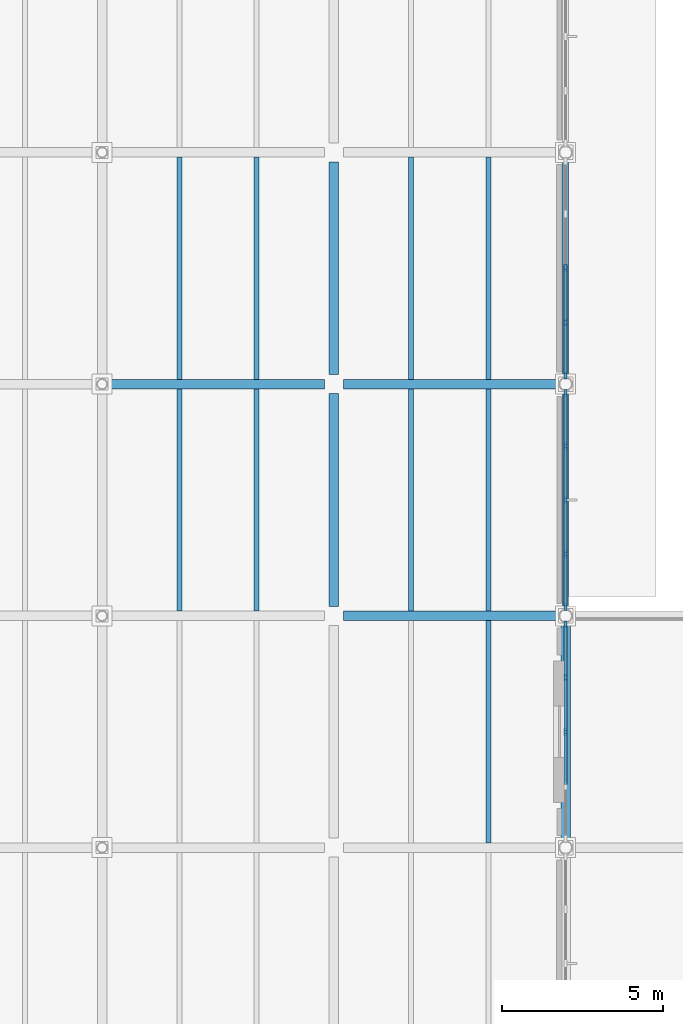
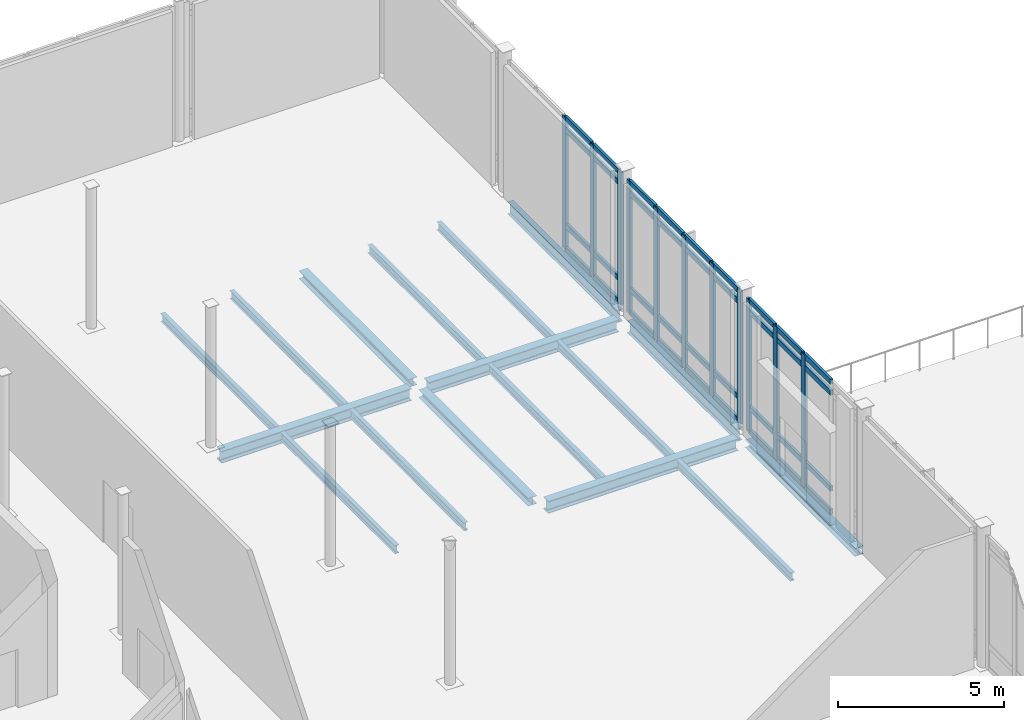
# One storey, part 28 of 89: 47 members, 17 beams, 3 elements without a shape of their own.
"""IFC4 building model written with IfcOpenShell, lengths in metres."""

from ifc_helpers import new_model, si_unit, direction, frame, origin, origin_2d, place, context, subcontext, project, spatial, rectangle, i_section, extrude, material, layer, layer_set, material_profile, profile_set, type_object, element, aggregate, save


model = new_model("IFC4")

# Units and contexts
model_context = context("Model", 3, precision=1e-05, world=origin(), true_north=direction((0.0, 1.0)))
body_context = subcontext(model_context, "Body", "Model", "MODEL_VIEW")
ifc_project = project(units=[si_unit("LENGTHUNIT", "METRE"), si_unit("AREAUNIT", "SQUARE_METRE"), si_unit("VOLUMEUNIT", "CUBIC_METRE"), si_unit("PLANEANGLEUNIT", "RADIAN"), si_unit("MASSUNIT", "GRAM", prefix="KILO")], contexts=[model_context])

# Site, building, storey
site_placement = place(None, origin())
site = spatial("IfcSite", under=ifc_project, at=site_placement, CompositionType="ELEMENT")
building_placement = place(site_placement, origin())
building = spatial("IfcBuilding", under=site, at=building_placement, Name="Zarrinpeak Specialist Clinic", CompositionType="ELEMENT")
storey_placement = place(building_placement, origin())
storey = spatial("IfcBuildingStorey", under=building, at=storey_placement, Name="L00", CompositionType="ELEMENT", Elevation=0.0)

# Beams
ifc_material_1 = material(Name="Steel S355", Category="steel")
ifc_material_profile_1 = material_profile(ifc_material_1, i_section(OverallWidth=0.300048828125, OverallDepth=0.2900390625, WebThickness=0.008544921875, FlangeThickness=0.013916015625, FilletRadius=0.027099609375, at=origin_2d()), Name="HEA 300")
ifc_profile_set_1 = profile_set([ifc_material_profile_1], Name="Steel S355")
beam_type_1 = type_object("IfcBeamType", Name="BM-HEA300", PredefinedType="BEAM", material=ifc_profile_set_1)
for number, where, z_axis, x_axis, name in (
    (1, (115.199951171875, 50.697998046875, -0.39501953125), (0.0, 1.0, 0.0), (-1.0, 0.0, 0.0), "L00 Primary Beam BM-L00-Y0390"),
    (2, (115.199951171875, 57.89794921875, -0.39501953125), (0.0, 1.0, 0.0), (-1.0, 0.0, 0.0), "L00 Primary Beam BM-L00-Y0391"),
    (3, (122.39990234375, 43.498046875, -0.39501953125), (0.0, 1.0, 0.0), (-1.0, 0.0, 0.0), "L00 Primary Beam BM-L00-Y0395"),
):
    element("IfcBeam", number, at=place(storey_placement, frame(where, z_axis=z_axis, x_axis=x_axis)), inside=storey, type_object=beam_type_1, Name=name, PredefinedType="BEAM", context=body_context, shape_type="SweptSolid", body=[
        extrude(i_section(OverallWidth=0.300048828125, OverallDepth=0.2900390625, WebThickness=0.008544921875, FlangeThickness=0.013916015625, FilletRadius=0.027099609375, at=origin_2d()), origin(), (0.0, 0.0, 1.0), 6.60400390625),
    ])
ifc_material_profile_2 = material_profile(ifc_material_1, i_section(OverallWidth=0.300048828125, OverallDepth=0.43994140625, WebThickness=0.011474609375, FlangeThickness=0.02099609375, FilletRadius=0.027099609375, at=origin_2d()), Name="HEA 450")
ifc_profile_set_2 = profile_set([ifc_material_profile_2], Name="Steel S355")
beam_type_2 = type_object("IfcBeamType", Name="BM-HEA450", PredefinedType="BEAM", material=ifc_profile_set_2)
for number, where, z_axis, x_axis, name in (
    (4, (115.498046875, 50.39990234375, -0.469970703125), (1.0, 0.0, 0.0), (0.0, 1.0, 0.0), "L00 Primary Floor Girder BM-L00-X0116"),
    (5, (108.298095703125, 57.60009765625, -0.469970703125), (1.0, 0.0, 0.0), (0.0, 1.0, 0.0), "L00 Primary Floor Girder BM-L00-X0142"),
    (6, (115.498046875, 57.60009765625, -0.469970703125), (1.0, 0.0, 0.0), (0.0, 1.0, 0.0), "L00 Primary Floor Girder BM-L00-X0143"),
):
    element("IfcBeam", number, at=place(storey_placement, frame(where, z_axis=z_axis, x_axis=x_axis)), inside=storey, type_object=beam_type_2, Name=name, PredefinedType="BEAM", context=body_context, shape_type="SweptSolid", body=[
        extrude(i_section(OverallWidth=0.300048828125, OverallDepth=0.43994140625, WebThickness=0.011474609375, FlangeThickness=0.02099609375, FilletRadius=0.027099609375, at=origin_2d()), origin(), (0.0, 0.0, 1.0), 6.60400390625),
    ])
ifc_material_profile_3 = material_profile(ifc_material_1, i_section(OverallWidth=0.14990234375, OverallDepth=0.300048828125, WebThickness=0.007080078125, FlangeThickness=0.0107421875, FilletRadius=0.014892578125, at=origin_2d()), Name="IPE 300")
ifc_profile_set_3 = profile_set([ifc_material_profile_3], Name="Steel S355")
beam_type_3 = type_object("IfcBeamType", Name="BM-JST300", PredefinedType="JOIST", material=ifc_profile_set_3)
for number, where, z_axis, x_axis, name in (
    (7, (110.39990234375, 50.548095703125, -0.39990234375), (0.0, 1.0, 0.0), (-1.0, 0.0, 0.0), "L00 Composite Floor Joist JST-L00-0523"),
    (8, (112.800048828125, 50.548095703125, -0.39990234375), (0.0, 1.0, 0.0), (-1.0, 0.0, 0.0), "L00 Composite Floor Joist JST-L00-0524"),
):
    element("IfcBeam", number, at=place(storey_placement, frame(where, z_axis=z_axis, x_axis=x_axis)), inside=storey, type_object=beam_type_3, Name=name, PredefinedType="JOIST", context=body_context, shape_type="SweptSolid", body=[
        extrude(i_section(OverallWidth=0.14990234375, OverallDepth=0.300048828125, WebThickness=0.007080078125, FlangeThickness=0.0107421875, FilletRadius=0.014892578125, at=origin_2d()), origin(), (0.0, 0.0, 1.0), 6.90380859375),
    ])
for number, where, z_axis, x_axis, name in (
    (9, (110.39990234375, 57.748046875, -0.39990234375), (0.0, 1.0, 0.0), (-1.0, 0.0, 0.0), "L00 Composite Floor Joist JST-L00-0525"),
    (10, (112.800048828125, 57.748046875, -0.39990234375), (0.0, 1.0, 0.0), (-1.0, 0.0, 0.0), "L00 Composite Floor Joist JST-L00-0526"),
    (11, (120.0, 43.347900390625, -0.39990234375), (0.0, 1.0, 0.0), (-1.0, 0.0, 0.0), "L00 Composite Floor Joist JST-L00-0534"),
):
    element("IfcBeam", number, at=place(storey_placement, frame(where, z_axis=z_axis, x_axis=x_axis)), inside=storey, type_object=beam_type_3, Name=name, PredefinedType="JOIST", context=body_context, shape_type="SweptSolid", body=[
        extrude(i_section(OverallWidth=0.14990234375, OverallDepth=0.300048828125, WebThickness=0.007080078125, FlangeThickness=0.0107421875, FilletRadius=0.014892578125, at=origin_2d()), origin(), (0.0, 0.0, 1.0), 6.904052734375),
    ])
for number, where, z_axis, x_axis, name in (
    (12, (117.60009765625, 50.548095703125, -0.39990234375), (0.0, 1.0, 0.0), (-1.0, 0.0, 0.0), "L00 Composite Floor Joist JST-L00-0535"),
    (13, (120.0, 50.548095703125, -0.39990234375), (0.0, 1.0, 0.0), (-1.0, 0.0, 0.0), "L00 Composite Floor Joist JST-L00-0536"),
):
    element("IfcBeam", number, at=place(storey_placement, frame(where, z_axis=z_axis, x_axis=x_axis)), inside=storey, type_object=beam_type_3, Name=name, PredefinedType="JOIST", context=body_context, shape_type="SweptSolid", body=[
        extrude(i_section(OverallWidth=0.14990234375, OverallDepth=0.300048828125, WebThickness=0.007080078125, FlangeThickness=0.0107421875, FilletRadius=0.014892578125, at=origin_2d()), origin(), (0.0, 0.0, 1.0), 6.90380859375),
    ])
for number, where, z_axis, x_axis, name in (
    (14, (117.60009765625, 57.748046875, -0.39990234375), (0.0, 1.0, 0.0), (-1.0, 0.0, 0.0), "L00 Composite Floor Joist JST-L00-0537"),
    (15, (120.0, 57.748046875, -0.39990234375), (0.0, 1.0, 0.0), (-1.0, 0.0, 0.0), "L00 Composite Floor Joist JST-L00-0538"),
):
    element("IfcBeam", number, at=place(storey_placement, frame(where, z_axis=z_axis, x_axis=x_axis)), inside=storey, type_object=beam_type_3, Name=name, PredefinedType="JOIST", context=body_context, shape_type="SweptSolid", body=[
        extrude(i_section(OverallWidth=0.14990234375, OverallDepth=0.300048828125, WebThickness=0.007080078125, FlangeThickness=0.0107421875, FilletRadius=0.014892578125, at=origin_2d()), origin(), (0.0, 0.0, 1.0), 6.904052734375),
    ])
ifc_material_profile_4 = material_profile(ifc_material_1, i_section(OverallWidth=0.18994140625, OverallDepth=0.449951171875, WebThickness=0.009521484375, FlangeThickness=0.0146484375, FilletRadius=0.02099609375, at=origin_2d()), Name="IPE 450")
ifc_profile_set_4 = profile_set([ifc_material_profile_4], Name="Steel S355")
beam_type_4 = type_object("IfcBeamType", Name="BM-SP450", PredefinedType="SPANDREL", material=ifc_profile_set_4)
for number, where, z_axis, x_axis, name in (
    (16, (122.39990234375, 50.697998046875, -0.47509765625), (0.0, 1.0, 0.0), (-1.0, 0.0, 0.0), "L00 Perimeter Spandrel Beam BM-L00-Y0396"),
    (17, (122.39990234375, 57.89794921875, -0.47509765625), (0.0, 1.0, 0.0), (-1.0, 0.0, 0.0), "L00 Perimeter Spandrel Beam BM-L00-Y0397"),
):
    element("IfcBeam", number, at=place(storey_placement, frame(where, z_axis=z_axis, x_axis=x_axis)), inside=storey, type_object=beam_type_4, Name=name, PredefinedType="SPANDREL", context=body_context, shape_type="SweptSolid", body=[
        extrude(i_section(OverallWidth=0.18994140625, OverallDepth=0.449951171875, WebThickness=0.009521484375, FlangeThickness=0.0146484375, FilletRadius=0.02099609375, at=origin_2d()), origin(), (0.0, 0.0, 1.0), 6.60400390625),
    ])

# Curtain wall, members
ifc_material_2 = material(Name="Anodised Aluminium Alloy 6063-T6", Category="aluminium")
ifc_layer = layer(ifc_material_2, 0.199951171875)
ifc_layer_set = layer_set([ifc_layer], Name="Anodised Aluminium Alloy 6063-T6")
curtain_wall_type = type_object("IfcCurtainWallType", Name="CW-HALL", PredefinedType="NOTDEFINED", material=ifc_layer_set)
curtain_wall_1_placement = place(storey_placement, origin())
curtain_wall_1 = element("IfcCurtainWall", 18, at=curtain_wall_1_placement, inside=storey, type_object=curtain_wall_type, Name="L00 V3 Unitised Curtain Wall CW-L00-V3-093", PredefinedType="NOTDEFINED")
ifc_material_profile_5 = material_profile(ifc_material_2, rectangle(XDim=0.090087890625, YDim=0.219970703125, at=origin_2d()), Name="ALU 90x220")
ifc_profile_set_5 = profile_set([ifc_material_profile_5], Name="Anodised Aluminium Alloy 6063-T6")
member_type_1 = type_object("IfcMemberType", Name="CWM-90", PredefinedType="MULLION", material=ifc_profile_set_5)
member_1_placement = place(storey_placement, frame((122.39990234375, 46.800048828125, 0.0), z_axis=(0.0, 0.0, 1.0), x_axis=(-1.0, 0.0, 0.0)))
member_1 = element("IfcMember", 19, at=member_1_placement, type_object=member_type_1, Name="CW-02 mullion 3", PredefinedType="MULLION", context=body_context, shape_type="SweptSolid", body=[
    extrude(rectangle(XDim=0.090087890625, YDim=0.219970703125, at=origin_2d()), origin(), (0.0, 0.0, 1.0), 4.875),
])
member_2_placement = place(storey_placement, frame((122.39990234375, 48.48583984375, 0.0), z_axis=(0.0, 0.0, 1.0), x_axis=(-1.0, 0.0, 0.0)))
member_2 = element("IfcMember", 20, at=member_2_placement, type_object=member_type_1, Name="CW-02 mullion 4", PredefinedType="MULLION", context=body_context, shape_type="SweptSolid", body=[
    extrude(rectangle(XDim=0.090087890625, YDim=0.219970703125, at=origin_2d()), origin(), (0.0, 0.0, 1.0), 4.875),
])
member_3_placement = place(storey_placement, frame((122.39990234375, 50.126708984375, 0.0), z_axis=(0.0, 0.0, 1.0), x_axis=(-1.0, 0.0, 0.0)))
member_3 = element("IfcMember", 21, at=member_3_placement, type_object=member_type_1, Name="CW-02 mullion 5", PredefinedType="MULLION", context=body_context, shape_type="SweptSolid", body=[
    extrude(rectangle(XDim=0.090087890625, YDim=0.219970703125, at=origin_2d()), origin(), (0.0, 0.0, 1.0), 4.875),
])

curtain_wall_2_placement = place(storey_placement, origin())
curtain_wall_2 = element("IfcCurtainWall", 22, at=curtain_wall_2_placement, inside=storey, type_object=curtain_wall_type, Name="L00 V3 Unitised Curtain Wall CW-L00-V3-094", PredefinedType="NOTDEFINED")
member_4_placement = place(storey_placement, frame((122.39990234375, 50.673095703125, 0.0), z_axis=(0.0, 0.0, 1.0), x_axis=(-1.0, 0.0, 0.0)))
member_4 = element("IfcMember", 23, at=member_4_placement, type_object=member_type_1, Name="CW-02 mullion 1", PredefinedType="MULLION", context=body_context, shape_type="SweptSolid", body=[
    extrude(rectangle(XDim=0.090087890625, YDim=0.219970703125, at=origin_2d()), origin(), (0.0, 0.0, 1.0), 4.875),
])
member_5_placement = place(storey_placement, frame((122.39990234375, 52.314208984375, 0.0), z_axis=(0.0, 0.0, 1.0), x_axis=(-1.0, 0.0, 0.0)))
member_5 = element("IfcMember", 24, at=member_5_placement, type_object=member_type_1, Name="CW-02 mullion 2", PredefinedType="MULLION", context=body_context, shape_type="SweptSolid", body=[
    extrude(rectangle(XDim=0.090087890625, YDim=0.219970703125, at=origin_2d()), origin(), (0.0, 0.0, 1.0), 4.875),
])
member_6_placement = place(storey_placement, frame((122.39990234375, 54.0, 0.0), z_axis=(0.0, 0.0, 1.0), x_axis=(-1.0, 0.0, 0.0)))
member_6 = element("IfcMember", 25, at=member_6_placement, type_object=member_type_1, Name="CW-02 mullion 3", PredefinedType="MULLION", context=body_context, shape_type="SweptSolid", body=[
    extrude(rectangle(XDim=0.090087890625, YDim=0.219970703125, at=origin_2d()), origin(), (0.0, 0.0, 1.0), 4.875),
])
member_7_placement = place(storey_placement, frame((122.39990234375, 55.685791015625, 0.0), z_axis=(0.0, 0.0, 1.0), x_axis=(-1.0, 0.0, 0.0)))
member_7 = element("IfcMember", 26, at=member_7_placement, type_object=member_type_1, Name="CW-02 mullion 4", PredefinedType="MULLION", context=body_context, shape_type="SweptSolid", body=[
    extrude(rectangle(XDim=0.090087890625, YDim=0.219970703125, at=origin_2d()), origin(), (0.0, 0.0, 1.0), 4.875),
])
member_8_placement = place(storey_placement, frame((122.39990234375, 57.326904296875, 0.0), z_axis=(0.0, 0.0, 1.0), x_axis=(-1.0, 0.0, 0.0)))
member_8 = element("IfcMember", 27, at=member_8_placement, type_object=member_type_1, Name="CW-02 mullion 5", PredefinedType="MULLION", context=body_context, shape_type="SweptSolid", body=[
    extrude(rectangle(XDim=0.090087890625, YDim=0.219970703125, at=origin_2d()), origin(), (0.0, 0.0, 1.0), 4.875),
])

curtain_wall_3_placement = place(storey_placement, origin())
curtain_wall_3 = element("IfcCurtainWall", 28, at=curtain_wall_3_placement, inside=storey, type_object=curtain_wall_type, Name="L00 V3 Unitised Curtain Wall CW-L00-V3-095", PredefinedType="NOTDEFINED")
member_9_placement = place(storey_placement, frame((122.39990234375, 57.873291015625, 0.0), z_axis=(0.0, 0.0, 1.0), x_axis=(-1.0, 0.0, 0.0)))
member_9 = element("IfcMember", 29, at=member_9_placement, type_object=member_type_1, Name="CW-02 mullion 1", PredefinedType="MULLION", context=body_context, shape_type="SweptSolid", body=[
    extrude(rectangle(XDim=0.090087890625, YDim=0.219970703125, at=origin_2d()), origin(), (0.0, 0.0, 1.0), 4.875),
])
member_10_placement = place(storey_placement, frame((122.39990234375, 59.51416015625, 0.0), z_axis=(0.0, 0.0, 1.0), x_axis=(-1.0, 0.0, 0.0)))
member_10 = element("IfcMember", 30, at=member_10_placement, type_object=member_type_1, Name="CW-02 mullion 2", PredefinedType="MULLION", context=body_context, shape_type="SweptSolid", body=[
    extrude(rectangle(XDim=0.090087890625, YDim=0.219970703125, at=origin_2d()), origin(), (0.0, 0.0, 1.0), 4.875),
])
member_11_placement = place(storey_placement, frame((122.39990234375, 61.199951171875, 0.0), z_axis=(0.0, 0.0, 1.0), x_axis=(-1.0, 0.0, 0.0)))
member_11 = element("IfcMember", 31, at=member_11_placement, type_object=member_type_1, Name="CW-02 mullion 3", PredefinedType="MULLION", context=body_context, shape_type="SweptSolid", body=[
    extrude(rectangle(XDim=0.090087890625, YDim=0.219970703125, at=origin_2d()), origin(), (0.0, 0.0, 1.0), 4.875),
])

# Member
ifc_material_profile_6 = material_profile(ifc_material_2, rectangle(XDim=0.090087890625, YDim=0.18994140625, at=origin_2d()), Name="ALU 90x190")
ifc_profile_set_6 = profile_set([ifc_material_profile_6], Name="Anodised Aluminium Alloy 6063-T6")
member_type_2 = type_object("IfcMemberType", Name="CWT-90", PredefinedType="USERDEFINED", material=ifc_profile_set_6)
member_12_placement = place(storey_placement, frame((122.39990234375, 45.1591796875, 0.044921875), z_axis=(0.0, 1.0, 0.0), x_axis=(-1.0, 0.0, 0.0)))
member_12 = element("IfcMember", 32, at=member_12_placement, type_object=member_type_2, Name="CW-02 transom 2.1", ObjectType="TRANSOM", PredefinedType="USERDEFINED", context=body_context, shape_type="SweptSolid", body=[
    extrude(rectangle(XDim=0.090087890625, YDim=0.18994140625, at=origin_2d()), origin(), (0.0, 0.0, 1.0), 1.595703125),
])

member_13_placement = place(storey_placement, frame((122.39990234375, 45.1591796875, 0.89990234375), z_axis=(0.0, 1.0, 0.0), x_axis=(-1.0, 0.0, 0.0)))
member_13 = element("IfcMember", 33, at=member_13_placement, type_object=member_type_2, Name="CW-02 transom 2.2", ObjectType="TRANSOM", PredefinedType="USERDEFINED", context=body_context, shape_type="SweptSolid", body=[
    extrude(rectangle(XDim=0.090087890625, YDim=0.18994140625, at=origin_2d()), origin(), (0.0, 0.0, 1.0), 1.595703125),
])

member_14_placement = place(storey_placement, frame((122.39990234375, 45.1591796875, 4.425048828125), z_axis=(0.0, 1.0, 0.0), x_axis=(-1.0, 0.0, 0.0)))
member_14 = element("IfcMember", 34, at=member_14_placement, type_object=member_type_2, Name="CW-02 transom 2.3", ObjectType="TRANSOM", PredefinedType="USERDEFINED", context=body_context, shape_type="SweptSolid", body=[
    extrude(rectangle(XDim=0.090087890625, YDim=0.18994140625, at=origin_2d()), origin(), (0.0, 0.0, 1.0), 1.595703125),
])

member_15_placement = place(storey_placement, frame((122.39990234375, 45.1591796875, 4.830078125), z_axis=(0.0, 1.0, 0.0), x_axis=(-1.0, 0.0, 0.0)))
member_15 = element("IfcMember", 35, at=member_15_placement, type_object=member_type_2, Name="CW-02 transom 2.4", ObjectType="TRANSOM", PredefinedType="USERDEFINED", context=body_context, shape_type="SweptSolid", body=[
    extrude(rectangle(XDim=0.090087890625, YDim=0.18994140625, at=origin_2d()), origin(), (0.0, 0.0, 1.0), 1.595703125),
])

member_16_placement = place(storey_placement, frame((122.39990234375, 46.844970703125, 0.044921875), z_axis=(0.0, 1.0, 0.0), x_axis=(-1.0, 0.0, 0.0)))
member_16 = element("IfcMember", 36, at=member_16_placement, type_object=member_type_2, Name="CW-02 transom 3.1", ObjectType="TRANSOM", PredefinedType="USERDEFINED", context=body_context, shape_type="SweptSolid", body=[
    extrude(rectangle(XDim=0.090087890625, YDim=0.18994140625, at=origin_2d()), origin(), (0.0, 0.0, 1.0), 1.595947265625),
])

member_17_placement = place(storey_placement, frame((122.39990234375, 46.844970703125, 0.89990234375), z_axis=(0.0, 1.0, 0.0), x_axis=(-1.0, 0.0, 0.0)))
member_17 = element("IfcMember", 37, at=member_17_placement, type_object=member_type_2, Name="CW-02 transom 3.2", ObjectType="TRANSOM", PredefinedType="USERDEFINED", context=body_context, shape_type="SweptSolid", body=[
    extrude(rectangle(XDim=0.090087890625, YDim=0.18994140625, at=origin_2d()), origin(), (0.0, 0.0, 1.0), 1.595947265625),
])

member_18_placement = place(storey_placement, frame((122.39990234375, 46.844970703125, 4.425048828125), z_axis=(0.0, 1.0, 0.0), x_axis=(-1.0, 0.0, 0.0)))
member_18 = element("IfcMember", 38, at=member_18_placement, type_object=member_type_2, Name="CW-02 transom 3.3", ObjectType="TRANSOM", PredefinedType="USERDEFINED", context=body_context, shape_type="SweptSolid", body=[
    extrude(rectangle(XDim=0.090087890625, YDim=0.18994140625, at=origin_2d()), origin(), (0.0, 0.0, 1.0), 1.595947265625),
])

member_19_placement = place(storey_placement, frame((122.39990234375, 46.844970703125, 4.830078125), z_axis=(0.0, 1.0, 0.0), x_axis=(-1.0, 0.0, 0.0)))
member_19 = element("IfcMember", 39, at=member_19_placement, type_object=member_type_2, Name="CW-02 transom 3.4", ObjectType="TRANSOM", PredefinedType="USERDEFINED", context=body_context, shape_type="SweptSolid", body=[
    extrude(rectangle(XDim=0.090087890625, YDim=0.18994140625, at=origin_2d()), origin(), (0.0, 0.0, 1.0), 1.595947265625),
])

member_20_placement = place(storey_placement, frame((122.39990234375, 48.531005859375, 0.044921875), z_axis=(0.0, 1.0, 0.0), x_axis=(-1.0, 0.0, 0.0)))
member_20 = element("IfcMember", 40, at=member_20_placement, type_object=member_type_2, Name="CW-02 transom 4.1", ObjectType="TRANSOM", PredefinedType="USERDEFINED", context=body_context, shape_type="SweptSolid", body=[
    extrude(rectangle(XDim=0.090087890625, YDim=0.18994140625, at=origin_2d()), origin(), (0.0, 0.0, 1.0), 1.55078125),
])

member_21_placement = place(storey_placement, frame((122.39990234375, 48.531005859375, 0.89990234375), z_axis=(0.0, 1.0, 0.0), x_axis=(-1.0, 0.0, 0.0)))
member_21 = element("IfcMember", 41, at=member_21_placement, type_object=member_type_2, Name="CW-02 transom 4.2", ObjectType="TRANSOM", PredefinedType="USERDEFINED", context=body_context, shape_type="SweptSolid", body=[
    extrude(rectangle(XDim=0.090087890625, YDim=0.18994140625, at=origin_2d()), origin(), (0.0, 0.0, 1.0), 1.55078125),
])

member_22_placement = place(storey_placement, frame((122.39990234375, 48.531005859375, 4.425048828125), z_axis=(0.0, 1.0, 0.0), x_axis=(-1.0, 0.0, 0.0)))
member_22 = element("IfcMember", 42, at=member_22_placement, type_object=member_type_2, Name="CW-02 transom 4.3", ObjectType="TRANSOM", PredefinedType="USERDEFINED", context=body_context, shape_type="SweptSolid", body=[
    extrude(rectangle(XDim=0.090087890625, YDim=0.18994140625, at=origin_2d()), origin(), (0.0, 0.0, 1.0), 1.55078125),
])

member_23_placement = place(storey_placement, frame((122.39990234375, 48.531005859375, 4.830078125), z_axis=(0.0, 1.0, 0.0), x_axis=(-1.0, 0.0, 0.0)))
member_23 = element("IfcMember", 43, at=member_23_placement, type_object=member_type_2, Name="CW-02 transom 4.4", ObjectType="TRANSOM", PredefinedType="USERDEFINED", context=body_context, shape_type="SweptSolid", body=[
    extrude(rectangle(XDim=0.090087890625, YDim=0.18994140625, at=origin_2d()), origin(), (0.0, 0.0, 1.0), 1.55078125),
])

aggregate(curtain_wall_1, [member_1, member_2, member_3, member_12, member_13, member_14, member_15, member_16, member_17, member_18, member_19, member_20, member_21, member_22, member_23])

member_24_placement = place(storey_placement, frame((122.39990234375, 50.71826171875, 0.044921875), z_axis=(0.0, 1.0, 0.0), x_axis=(-1.0, 0.0, 0.0)))
member_24 = element("IfcMember", 44, at=member_24_placement, type_object=member_type_2, Name="CW-02 transom 1.1", ObjectType="TRANSOM", PredefinedType="USERDEFINED", context=body_context, shape_type="SweptSolid", body=[
    extrude(rectangle(XDim=0.090087890625, YDim=0.18994140625, at=origin_2d()), origin(), (0.0, 0.0, 1.0), 1.55078125),
])

member_25_placement = place(storey_placement, frame((122.39990234375, 50.71826171875, 0.89990234375), z_axis=(0.0, 1.0, 0.0), x_axis=(-1.0, 0.0, 0.0)))
member_25 = element("IfcMember", 45, at=member_25_placement, type_object=member_type_2, Name="CW-02 transom 1.2", ObjectType="TRANSOM", PredefinedType="USERDEFINED", context=body_context, shape_type="SweptSolid", body=[
    extrude(rectangle(XDim=0.090087890625, YDim=0.18994140625, at=origin_2d()), origin(), (0.0, 0.0, 1.0), 1.55078125),
])

member_26_placement = place(storey_placement, frame((122.39990234375, 50.71826171875, 4.425048828125), z_axis=(0.0, 1.0, 0.0), x_axis=(-1.0, 0.0, 0.0)))
member_26 = element("IfcMember", 46, at=member_26_placement, type_object=member_type_2, Name="CW-02 transom 1.3", ObjectType="TRANSOM", PredefinedType="USERDEFINED", context=body_context, shape_type="SweptSolid", body=[
    extrude(rectangle(XDim=0.090087890625, YDim=0.18994140625, at=origin_2d()), origin(), (0.0, 0.0, 1.0), 1.55078125),
])

member_27_placement = place(storey_placement, frame((122.39990234375, 50.71826171875, 4.830078125), z_axis=(0.0, 1.0, 0.0), x_axis=(-1.0, 0.0, 0.0)))
member_27 = element("IfcMember", 47, at=member_27_placement, type_object=member_type_2, Name="CW-02 transom 1.4", ObjectType="TRANSOM", PredefinedType="USERDEFINED", context=body_context, shape_type="SweptSolid", body=[
    extrude(rectangle(XDim=0.090087890625, YDim=0.18994140625, at=origin_2d()), origin(), (0.0, 0.0, 1.0), 1.55078125),
])

member_28_placement = place(storey_placement, frame((122.39990234375, 52.359130859375, 0.044921875), z_axis=(0.0, 1.0, 0.0), x_axis=(-1.0, 0.0, 0.0)))
member_28 = element("IfcMember", 48, at=member_28_placement, type_object=member_type_2, Name="CW-02 transom 2.1", ObjectType="TRANSOM", PredefinedType="USERDEFINED", context=body_context, shape_type="SweptSolid", body=[
    extrude(rectangle(XDim=0.090087890625, YDim=0.18994140625, at=origin_2d()), origin(), (0.0, 0.0, 1.0), 1.595947265625),
])

member_29_placement = place(storey_placement, frame((122.39990234375, 52.359130859375, 0.89990234375), z_axis=(0.0, 1.0, 0.0), x_axis=(-1.0, 0.0, 0.0)))
member_29 = element("IfcMember", 49, at=member_29_placement, type_object=member_type_2, Name="CW-02 transom 2.2", ObjectType="TRANSOM", PredefinedType="USERDEFINED", context=body_context, shape_type="SweptSolid", body=[
    extrude(rectangle(XDim=0.090087890625, YDim=0.18994140625, at=origin_2d()), origin(), (0.0, 0.0, 1.0), 1.595947265625),
])

member_30_placement = place(storey_placement, frame((122.39990234375, 52.359130859375, 4.425048828125), z_axis=(0.0, 1.0, 0.0), x_axis=(-1.0, 0.0, 0.0)))
member_30 = element("IfcMember", 50, at=member_30_placement, type_object=member_type_2, Name="CW-02 transom 2.3", ObjectType="TRANSOM", PredefinedType="USERDEFINED", context=body_context, shape_type="SweptSolid", body=[
    extrude(rectangle(XDim=0.090087890625, YDim=0.18994140625, at=origin_2d()), origin(), (0.0, 0.0, 1.0), 1.595947265625),
])

member_31_placement = place(storey_placement, frame((122.39990234375, 52.359130859375, 4.830078125), z_axis=(0.0, 1.0, 0.0), x_axis=(-1.0, 0.0, 0.0)))
member_31 = element("IfcMember", 51, at=member_31_placement, type_object=member_type_2, Name="CW-02 transom 2.4", ObjectType="TRANSOM", PredefinedType="USERDEFINED", context=body_context, shape_type="SweptSolid", body=[
    extrude(rectangle(XDim=0.090087890625, YDim=0.18994140625, at=origin_2d()), origin(), (0.0, 0.0, 1.0), 1.595947265625),
])

member_32_placement = place(storey_placement, frame((122.39990234375, 54.044921875, 0.044921875), z_axis=(0.0, 1.0, 0.0), x_axis=(-1.0, 0.0, 0.0)))
member_32 = element("IfcMember", 52, at=member_32_placement, type_object=member_type_2, Name="CW-02 transom 3.1", ObjectType="TRANSOM", PredefinedType="USERDEFINED", context=body_context, shape_type="SweptSolid", body=[
    extrude(rectangle(XDim=0.090087890625, YDim=0.18994140625, at=origin_2d()), origin(), (0.0, 0.0, 1.0), 1.595947265625),
])

member_33_placement = place(storey_placement, frame((122.39990234375, 54.044921875, 0.89990234375), z_axis=(0.0, 1.0, 0.0), x_axis=(-1.0, 0.0, 0.0)))
member_33 = element("IfcMember", 53, at=member_33_placement, type_object=member_type_2, Name="CW-02 transom 3.2", ObjectType="TRANSOM", PredefinedType="USERDEFINED", context=body_context, shape_type="SweptSolid", body=[
    extrude(rectangle(XDim=0.090087890625, YDim=0.18994140625, at=origin_2d()), origin(), (0.0, 0.0, 1.0), 1.595947265625),
])

member_34_placement = place(storey_placement, frame((122.39990234375, 54.044921875, 4.425048828125), z_axis=(0.0, 1.0, 0.0), x_axis=(-1.0, 0.0, 0.0)))
member_34 = element("IfcMember", 54, at=member_34_placement, type_object=member_type_2, Name="CW-02 transom 3.3", ObjectType="TRANSOM", PredefinedType="USERDEFINED", context=body_context, shape_type="SweptSolid", body=[
    extrude(rectangle(XDim=0.090087890625, YDim=0.18994140625, at=origin_2d()), origin(), (0.0, 0.0, 1.0), 1.595947265625),
])

member_35_placement = place(storey_placement, frame((122.39990234375, 54.044921875, 4.830078125), z_axis=(0.0, 1.0, 0.0), x_axis=(-1.0, 0.0, 0.0)))
member_35 = element("IfcMember", 55, at=member_35_placement, type_object=member_type_2, Name="CW-02 transom 3.4", ObjectType="TRANSOM", PredefinedType="USERDEFINED", context=body_context, shape_type="SweptSolid", body=[
    extrude(rectangle(XDim=0.090087890625, YDim=0.18994140625, at=origin_2d()), origin(), (0.0, 0.0, 1.0), 1.595947265625),
])

member_36_placement = place(storey_placement, frame((122.39990234375, 55.73095703125, 0.044921875), z_axis=(0.0, 1.0, 0.0), x_axis=(-1.0, 0.0, 0.0)))
member_36 = element("IfcMember", 56, at=member_36_placement, type_object=member_type_2, Name="CW-02 transom 4.1", ObjectType="TRANSOM", PredefinedType="USERDEFINED", context=body_context, shape_type="SweptSolid", body=[
    extrude(rectangle(XDim=0.090087890625, YDim=0.18994140625, at=origin_2d()), origin(), (0.0, 0.0, 1.0), 1.55078125),
])

member_37_placement = place(storey_placement, frame((122.39990234375, 55.73095703125, 0.89990234375), z_axis=(0.0, 1.0, 0.0), x_axis=(-1.0, 0.0, 0.0)))
member_37 = element("IfcMember", 57, at=member_37_placement, type_object=member_type_2, Name="CW-02 transom 4.2", ObjectType="TRANSOM", PredefinedType="USERDEFINED", context=body_context, shape_type="SweptSolid", body=[
    extrude(rectangle(XDim=0.090087890625, YDim=0.18994140625, at=origin_2d()), origin(), (0.0, 0.0, 1.0), 1.55078125),
])

member_38_placement = place(storey_placement, frame((122.39990234375, 55.73095703125, 4.425048828125), z_axis=(0.0, 1.0, 0.0), x_axis=(-1.0, 0.0, 0.0)))
member_38 = element("IfcMember", 58, at=member_38_placement, type_object=member_type_2, Name="CW-02 transom 4.3", ObjectType="TRANSOM", PredefinedType="USERDEFINED", context=body_context, shape_type="SweptSolid", body=[
    extrude(rectangle(XDim=0.090087890625, YDim=0.18994140625, at=origin_2d()), origin(), (0.0, 0.0, 1.0), 1.55078125),
])

member_39_placement = place(storey_placement, frame((122.39990234375, 55.73095703125, 4.830078125), z_axis=(0.0, 1.0, 0.0), x_axis=(-1.0, 0.0, 0.0)))
member_39 = element("IfcMember", 59, at=member_39_placement, type_object=member_type_2, Name="CW-02 transom 4.4", ObjectType="TRANSOM", PredefinedType="USERDEFINED", context=body_context, shape_type="SweptSolid", body=[
    extrude(rectangle(XDim=0.090087890625, YDim=0.18994140625, at=origin_2d()), origin(), (0.0, 0.0, 1.0), 1.55078125),
])

aggregate(curtain_wall_2, [member_4, member_5, member_6, member_7, member_8, member_24, member_25, member_26, member_27, member_28, member_29, member_30, member_31, member_32, member_33, member_34, member_35, member_36, member_37, member_38, member_39])

member_40_placement = place(storey_placement, frame((122.39990234375, 57.918212890625, 0.044921875), z_axis=(0.0, 1.0, 0.0), x_axis=(-1.0, 0.0, 0.0)))
member_40 = element("IfcMember", 60, at=member_40_placement, type_object=member_type_2, Name="CW-02 transom 1.1", ObjectType="TRANSOM", PredefinedType="USERDEFINED", context=body_context, shape_type="SweptSolid", body=[
    extrude(rectangle(XDim=0.090087890625, YDim=0.18994140625, at=origin_2d()), origin(), (0.0, 0.0, 1.0), 1.55078125),
])

member_41_placement = place(storey_placement, frame((122.39990234375, 57.918212890625, 0.89990234375), z_axis=(0.0, 1.0, 0.0), x_axis=(-1.0, 0.0, 0.0)))
member_41 = element("IfcMember", 61, at=member_41_placement, type_object=member_type_2, Name="CW-02 transom 1.2", ObjectType="TRANSOM", PredefinedType="USERDEFINED", context=body_context, shape_type="SweptSolid", body=[
    extrude(rectangle(XDim=0.090087890625, YDim=0.18994140625, at=origin_2d()), origin(), (0.0, 0.0, 1.0), 1.55078125),
])

member_42_placement = place(storey_placement, frame((122.39990234375, 57.918212890625, 4.425048828125), z_axis=(0.0, 1.0, 0.0), x_axis=(-1.0, 0.0, 0.0)))
member_42 = element("IfcMember", 62, at=member_42_placement, type_object=member_type_2, Name="CW-02 transom 1.3", ObjectType="TRANSOM", PredefinedType="USERDEFINED", context=body_context, shape_type="SweptSolid", body=[
    extrude(rectangle(XDim=0.090087890625, YDim=0.18994140625, at=origin_2d()), origin(), (0.0, 0.0, 1.0), 1.55078125),
])

member_43_placement = place(storey_placement, frame((122.39990234375, 57.918212890625, 4.830078125), z_axis=(0.0, 1.0, 0.0), x_axis=(-1.0, 0.0, 0.0)))
member_43 = element("IfcMember", 63, at=member_43_placement, type_object=member_type_2, Name="CW-02 transom 1.4", ObjectType="TRANSOM", PredefinedType="USERDEFINED", context=body_context, shape_type="SweptSolid", body=[
    extrude(rectangle(XDim=0.090087890625, YDim=0.18994140625, at=origin_2d()), origin(), (0.0, 0.0, 1.0), 1.55078125),
])

member_44_placement = place(storey_placement, frame((122.39990234375, 59.55908203125, 0.044921875), z_axis=(0.0, 1.0, 0.0), x_axis=(-1.0, 0.0, 0.0)))
member_44 = element("IfcMember", 64, at=member_44_placement, type_object=member_type_2, Name="CW-02 transom 2.1", ObjectType="TRANSOM", PredefinedType="USERDEFINED", context=body_context, shape_type="SweptSolid", body=[
    extrude(rectangle(XDim=0.090087890625, YDim=0.18994140625, at=origin_2d()), origin(), (0.0, 0.0, 1.0), 1.595947265625),
])

member_45_placement = place(storey_placement, frame((122.39990234375, 59.55908203125, 0.89990234375), z_axis=(0.0, 1.0, 0.0), x_axis=(-1.0, 0.0, 0.0)))
member_45 = element("IfcMember", 65, at=member_45_placement, type_object=member_type_2, Name="CW-02 transom 2.2", ObjectType="TRANSOM", PredefinedType="USERDEFINED", context=body_context, shape_type="SweptSolid", body=[
    extrude(rectangle(XDim=0.090087890625, YDim=0.18994140625, at=origin_2d()), origin(), (0.0, 0.0, 1.0), 1.595947265625),
])

member_46_placement = place(storey_placement, frame((122.39990234375, 59.55908203125, 4.425048828125), z_axis=(0.0, 1.0, 0.0), x_axis=(-1.0, 0.0, 0.0)))
member_46 = element("IfcMember", 66, at=member_46_placement, type_object=member_type_2, Name="CW-02 transom 2.3", ObjectType="TRANSOM", PredefinedType="USERDEFINED", context=body_context, shape_type="SweptSolid", body=[
    extrude(rectangle(XDim=0.090087890625, YDim=0.18994140625, at=origin_2d()), origin(), (0.0, 0.0, 1.0), 1.595947265625),
])

member_47_placement = place(storey_placement, frame((122.39990234375, 59.55908203125, 4.830078125), z_axis=(0.0, 1.0, 0.0), x_axis=(-1.0, 0.0, 0.0)))
member_47 = element("IfcMember", 67, at=member_47_placement, type_object=member_type_2, Name="CW-02 transom 2.4", ObjectType="TRANSOM", PredefinedType="USERDEFINED", context=body_context, shape_type="SweptSolid", body=[
    extrude(rectangle(XDim=0.090087890625, YDim=0.18994140625, at=origin_2d()), origin(), (0.0, 0.0, 1.0), 1.595947265625),
])

aggregate(curtain_wall_3, [member_9, member_10, member_11, member_40, member_41, member_42, member_43, member_44, member_45, member_46, member_47])

save(model, "model.ifc")
